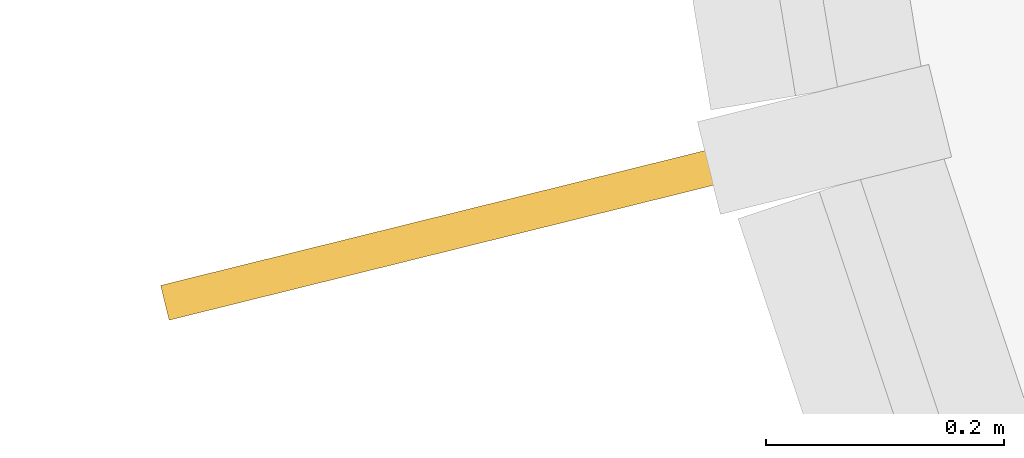
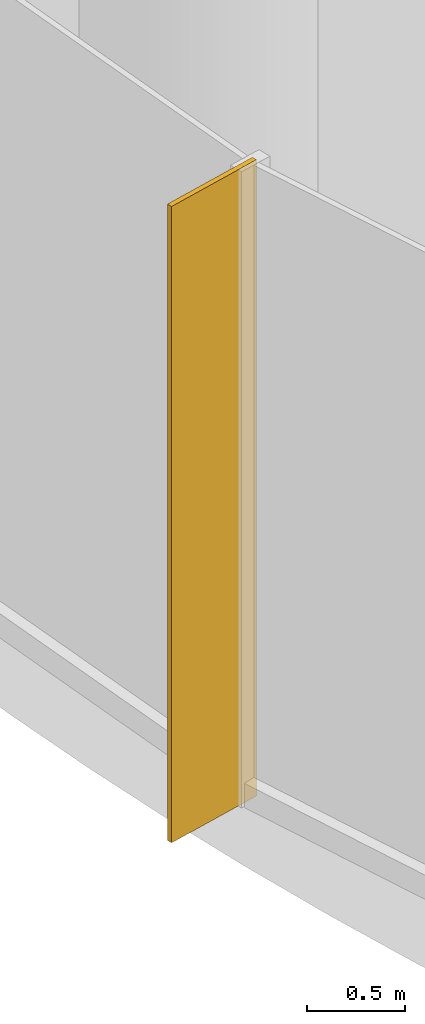
# One storey, part 17 of 19: 1 shading device.
"""IFC4 building model written with IfcOpenShell, lengths in metres."""

from ifc_helpers import new_model, si_unit, direction, frame, origin, origin_2d, place, context, subcontext, project, spatial, rectangle, extrude, source, transform, mapped, material, material_profile, profile_set, type_object, element, save


model = new_model("IFC4")

# Units and contexts
model_context = context("Model", 3, precision=1e-05, world=origin(), true_north=direction((0.0, 1.0)))
body_context = subcontext(model_context, "Body", "Model", "MODEL_VIEW")
ifc_project = project(units=[si_unit("LENGTHUNIT", "METRE"), si_unit("AREAUNIT", "SQUARE_METRE"), si_unit("VOLUMEUNIT", "CUBIC_METRE"), si_unit("PLANEANGLEUNIT", "RADIAN"), si_unit("MASSUNIT", "GRAM", prefix="KILO")], contexts=[model_context])

# Site, building, storey
site_placement = place(None, origin())
site = spatial("IfcSite", under=ifc_project, at=site_placement, CompositionType="ELEMENT")
building_placement = place(site_placement, origin())
building = spatial("IfcBuilding", under=site, at=building_placement, Name="Spindrift Exchange Tower", CompositionType="ELEMENT")
storey_placement = place(building_placement, frame((0.0, 0.0, 53.39990234375)))
storey = spatial("IfcBuildingStorey", under=building, at=storey_placement, Name="L12", CompositionType="ELEMENT", Elevation=53.39990234375)

# Shading device
ifc_material = material(Name="Bronze anodised aluminium", Category="aluminium")
ifc_material_profile = material_profile(ifc_material, rectangle(XDim=0.030029296875, YDim=0.60009765625, at=origin_2d()), Name="WIND FIN 30X600")
ifc_profile_set = profile_set([ifc_material_profile], Name="Bronze anodised aluminium")
shading_device_type = type_object("IfcShadingDeviceType", Name="WIND FIN 30X600", PredefinedType="USERDEFINED", material=ifc_profile_set)
shared_shape = source(origin(), body_context, "Body", "SweptSolid", [
    extrude(rectangle(XDim=0.030029296875, YDim=0.60009765625, at=origin_2d()), origin(), (0.0, 0.0, 1.0), 3.9501953125),
])
shading_device_placement = place(storey_placement, frame((14.26513671875, 39.91943359375, 0.0), z_axis=(0.0, 0.0, 1.0), x_axis=(0.240475390776, -0.970655235617, 0.0)))
element("IfcShadingDevice", 1, at=shading_device_placement, inside=storey, type_object=shading_device_type, Name="L12 wind fin 1", ObjectType="FIN", PredefinedType="USERDEFINED", context=body_context, shape_type="MappedRepresentation", body=[
    mapped(shared_shape, transform((0.0, 0.0, 0.0), scale=1.0)),
])

save(model, "model.ifc")
